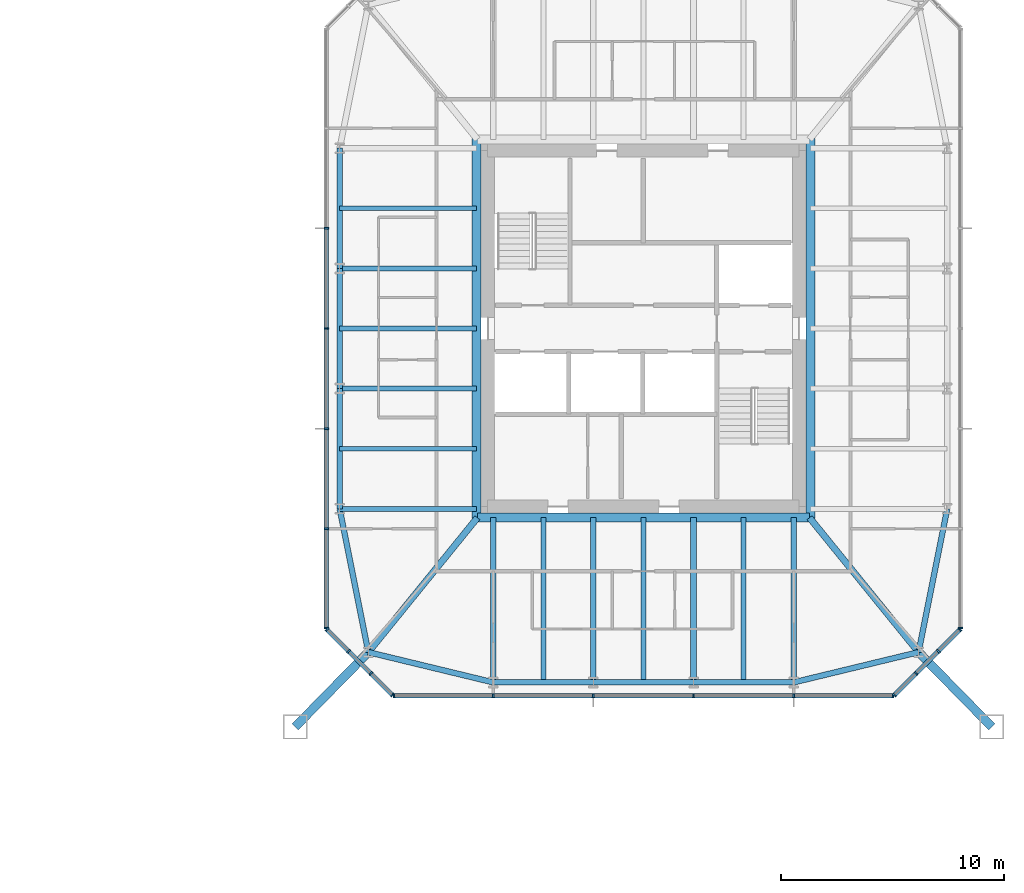
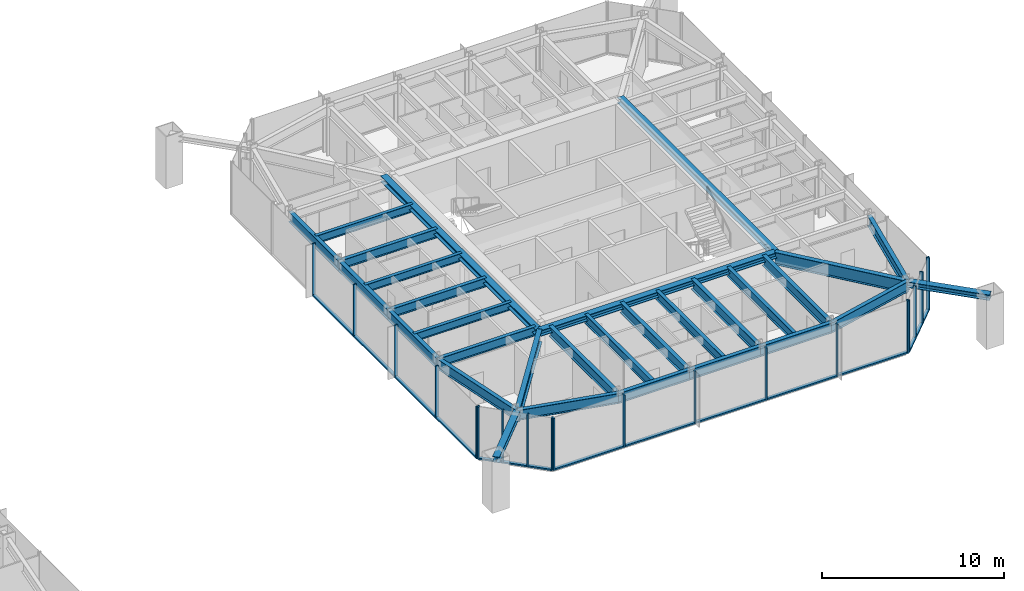
# One storey, part 8 of 25: 37 members, 28 beams, 5 elements without a shape of their own.
"""IFC4 building model written with IfcOpenShell, lengths in metres."""

from ifc_helpers import new_model, si_unit, direction, frame, origin, origin_2d, place, context, subcontext, project, spatial, rectangle, i_section, extrude, material, material_profile, profile_set, type_object, element, aggregate, save


model = new_model("IFC4")

# Units and contexts
model_context = context("Model", 3, precision=1e-05, world=origin(), true_north=direction((0.0, 1.0)))
body_context = subcontext(model_context, "Body", "Model", "MODEL_VIEW")
ifc_project = project(units=[si_unit("LENGTHUNIT", "METRE"), si_unit("AREAUNIT", "SQUARE_METRE"), si_unit("VOLUMEUNIT", "CUBIC_METRE"), si_unit("PLANEANGLEUNIT", "RADIAN"), si_unit("MASSUNIT", "GRAM", prefix="KILO")], contexts=[model_context])

# Site, building, storey
site_placement = place(None, origin())
site = spatial("IfcSite", under=ifc_project, at=site_placement, CompositionType="ELEMENT")
building_placement = place(site_placement, origin())
building = spatial("IfcBuilding", under=site, at=building_placement, Name="Iwan Alto Co-Living Towers", CompositionType="ELEMENT")
storey_placement = place(building_placement, frame((0.0, 0.0, 119.0)))
storey = spatial("IfcBuildingStorey", under=building, at=storey_placement, Name="L32", CompositionType="ELEMENT", Elevation=119.0)

# Curtain wall, members
ifc_material_1 = material(Name="Bronze aluminium unitised frame", Category="aluminium")
curtain_wall_type_1 = type_object("IfcCurtainWallType", Name="CURTAIN WALL CW-C", PredefinedType="NOTDEFINED", material=ifc_material_1)
curtain_wall_1_placement = place(storey_placement, origin())
curtain_wall_1 = element("IfcCurtainWall", 1, at=curtain_wall_1_placement, inside=storey, type_object=curtain_wall_type_1, Name="T2 curtain wall S L32", PredefinedType="NOTDEFINED")
ifc_material_2 = material(Name="Aluminium 6063-T6 bronze anodised", Category="aluminium")
ifc_material_profile_1 = material_profile(ifc_material_2, rectangle(XDim=0.199951171875, YDim=0.080078125, at=origin_2d()), Name="AL 80X200")
ifc_profile_set_1 = profile_set([ifc_material_profile_1], Name="Aluminium 6063-T6 bronze anodised")
member_type_1 = type_object("IfcMemberType", Name="CW-C MULLION 80X200", PredefinedType="MULLION", material=ifc_profile_set_1)
member_1_placement = place(storey_placement, frame((51.7900390625, -16.5, 0.0), z_axis=(0.0, 0.0, 1.0), x_axis=(0.0, 1.0, 0.0)))
member_1 = element("IfcMember", 2, at=member_1_placement, type_object=member_type_1, Name="CW-C mullion 1", PredefinedType="MULLION", context=body_context, shape_type="SweptSolid", body=[
    extrude(rectangle(XDim=0.199951171875, YDim=0.080078125, at=origin_2d()), origin(), (0.0, 0.0, 1.0), 3.5),
])
member_2_placement = place(storey_placement, frame((56.25, -16.5, 0.0), z_axis=(0.0, 0.0, 1.0), x_axis=(0.0, 1.0, 0.0)))
member_2 = element("IfcMember", 3, at=member_2_placement, type_object=member_type_1, Name="CW-C mullion 2", PredefinedType="MULLION", context=body_context, shape_type="SweptSolid", body=[
    extrude(rectangle(XDim=0.199951171875, YDim=0.080078125, at=origin_2d()), origin(), (0.0, 0.0, 1.0), 3.5),
])
member_3_placement = place(storey_placement, frame((60.75, -16.5, 0.0), z_axis=(0.0, 0.0, 1.0), x_axis=(0.0, 1.0, 0.0)))
member_3 = element("IfcMember", 4, at=member_3_placement, type_object=member_type_1, Name="CW-C mullion 3", PredefinedType="MULLION", context=body_context, shape_type="SweptSolid", body=[
    extrude(rectangle(XDim=0.199951171875, YDim=0.080078125, at=origin_2d()), origin(), (0.0, 0.0, 1.0), 3.5),
])
member_4_placement = place(storey_placement, frame((65.25, -16.5, 0.0), z_axis=(0.0, 0.0, 1.0), x_axis=(0.0, 1.0, 0.0)))
member_4 = element("IfcMember", 5, at=member_4_placement, type_object=member_type_1, Name="CW-C mullion 4", PredefinedType="MULLION", context=body_context, shape_type="SweptSolid", body=[
    extrude(rectangle(XDim=0.199951171875, YDim=0.080078125, at=origin_2d()), origin(), (0.0, 0.0, 1.0), 3.5),
])
member_5_placement = place(storey_placement, frame((69.75, -16.5, 0.0), z_axis=(0.0, 0.0, 1.0), x_axis=(0.0, 1.0, 0.0)))
member_5 = element("IfcMember", 6, at=member_5_placement, type_object=member_type_1, Name="CW-C mullion 5", PredefinedType="MULLION", context=body_context, shape_type="SweptSolid", body=[
    extrude(rectangle(XDim=0.199951171875, YDim=0.080078125, at=origin_2d()), origin(), (0.0, 0.0, 1.0), 3.5),
])
member_6_placement = place(storey_placement, frame((74.2099609375, -16.5, 0.0), z_axis=(0.0, 0.0, 1.0), x_axis=(0.0, 1.0, 0.0)))
member_6 = element("IfcMember", 7, at=member_6_placement, type_object=member_type_1, Name="CW-C mullion 6", PredefinedType="MULLION", context=body_context, shape_type="SweptSolid", body=[
    extrude(rectangle(XDim=0.199951171875, YDim=0.080078125, at=origin_2d()), origin(), (0.0, 0.0, 1.0), 3.5),
])

# Curtain wall, member
curtain_wall_2_placement = place(storey_placement, origin())
curtain_wall_2 = element("IfcCurtainWall", 8, at=curtain_wall_2_placement, inside=storey, type_object=curtain_wall_type_1, Name="T2 curtain wall E L32", PredefinedType="NOTDEFINED")
member_7_placement = place(storey_placement, frame((77.25, -13.4599609375, 0.0), z_axis=(0.0, 0.0, 1.0), x_axis=(-1.0, 0.0, 0.0)))
member_7 = element("IfcMember", 9, at=member_7_placement, type_object=member_type_1, Name="CW-C mullion 1", PredefinedType="MULLION", context=body_context, shape_type="SweptSolid", body=[
    extrude(rectangle(XDim=0.199951171875, YDim=0.080078125, at=origin_2d()), origin(), (0.0, 0.0, 1.0), 3.5),
])
aggregate(curtain_wall_2, [member_7])

# Curtain wall, members
curtain_wall_3_placement = place(storey_placement, origin())
curtain_wall_3 = element("IfcCurtainWall", 10, at=curtain_wall_3_placement, inside=storey, type_object=curtain_wall_type_1, Name="T2 curtain wall W L32", PredefinedType="NOTDEFINED")
member_8_placement = place(storey_placement, frame((48.75, 4.5, 0.0), z_axis=(0.0, 0.0, 1.0), x_axis=(1.0, 0.0, 0.0)))
member_8 = element("IfcMember", 11, at=member_8_placement, type_object=member_type_1, Name="CW-C mullion 3", PredefinedType="MULLION", context=body_context, shape_type="SweptSolid", body=[
    extrude(rectangle(XDim=0.199951171875, YDim=0.080078125, at=origin_2d()), origin(), (0.0, 0.0, 1.0), 3.5),
])
member_9_placement = place(storey_placement, frame((48.75, 0.0, 0.0), z_axis=(0.0, 0.0, 1.0), x_axis=(1.0, 0.0, 0.0)))
member_9 = element("IfcMember", 12, at=member_9_placement, type_object=member_type_1, Name="CW-C mullion 4", PredefinedType="MULLION", context=body_context, shape_type="SweptSolid", body=[
    extrude(rectangle(XDim=0.199951171875, YDim=0.080078125, at=origin_2d()), origin(), (0.0, 0.0, 1.0), 3.5),
])
member_10_placement = place(storey_placement, frame((48.75, -4.5, 0.0), z_axis=(0.0, 0.0, 1.0), x_axis=(1.0, 0.0, 0.0)))
member_10 = element("IfcMember", 13, at=member_10_placement, type_object=member_type_1, Name="CW-C mullion 5", PredefinedType="MULLION", context=body_context, shape_type="SweptSolid", body=[
    extrude(rectangle(XDim=0.199951171875, YDim=0.080078125, at=origin_2d()), origin(), (0.0, 0.0, 1.0), 3.5),
])
member_11_placement = place(storey_placement, frame((48.75, -9.0, 0.0), z_axis=(0.0, 0.0, 1.0), x_axis=(1.0, 0.0, 0.0)))
member_11 = element("IfcMember", 14, at=member_11_placement, type_object=member_type_1, Name="CW-C mullion 6", PredefinedType="MULLION", context=body_context, shape_type="SweptSolid", body=[
    extrude(rectangle(XDim=0.199951171875, YDim=0.080078125, at=origin_2d()), origin(), (0.0, 0.0, 1.0), 3.5),
])
member_12_placement = place(storey_placement, frame((48.75, -13.4599609375, 0.0), z_axis=(0.0, 0.0, 1.0), x_axis=(1.0, 0.0, 0.0)))
member_12 = element("IfcMember", 15, at=member_12_placement, type_object=member_type_1, Name="CW-C mullion 7", PredefinedType="MULLION", context=body_context, shape_type="SweptSolid", body=[
    extrude(rectangle(XDim=0.199951171875, YDim=0.080078125, at=origin_2d()), origin(), (0.0, 0.0, 1.0), 3.5),
])

# Member
ifc_material_3 = material(Name="Aluminium 6063-T6 bronze anodised", Category="aluminium")
ifc_material_profile_2 = material_profile(ifc_material_3, rectangle(XDim=0.199951171875, YDim=0.10009765625, at=origin_2d()), Name="AL 200X100")
ifc_profile_set_2 = profile_set([ifc_material_profile_2], Name="Aluminium 6063-T6 bronze anodised")
member_type_2 = type_object("IfcMemberType", Name="CW-C TRANSOM 200X100", PredefinedType="USERDEFINED", material=ifc_profile_set_2)
member_13_placement = place(storey_placement, frame((51.830078125, -16.5, 0.050048828125), z_axis=(1.0, 0.0, 0.0), x_axis=(0.0, 1.0, 0.0)))
member_13 = element("IfcMember", 16, at=member_13_placement, type_object=member_type_2, Name="CW-C transom 1.1", ObjectType="TRANSOM", PredefinedType="USERDEFINED", context=body_context, shape_type="SweptSolid", body=[
    extrude(rectangle(XDim=0.199951171875, YDim=0.10009765625, at=origin_2d()), origin(), (0.0, 0.0, 1.0), 4.3798828125),
])

member_14_placement = place(storey_placement, frame((56.2900390625, -16.5, 0.050048828125), z_axis=(1.0, 0.0, 0.0), x_axis=(0.0, 1.0, 0.0)))
member_14 = element("IfcMember", 17, at=member_14_placement, type_object=member_type_2, Name="CW-C transom 2.1", ObjectType="TRANSOM", PredefinedType="USERDEFINED", context=body_context, shape_type="SweptSolid", body=[
    extrude(rectangle(XDim=0.199951171875, YDim=0.10009765625, at=origin_2d()), origin(), (0.0, 0.0, 1.0), 4.419921875),
])

member_15_placement = place(storey_placement, frame((60.7900390625, -16.5, 0.050048828125), z_axis=(1.0, 0.0, 0.0), x_axis=(0.0, 1.0, 0.0)))
member_15 = element("IfcMember", 18, at=member_15_placement, type_object=member_type_2, Name="CW-C transom 3.1", ObjectType="TRANSOM", PredefinedType="USERDEFINED", context=body_context, shape_type="SweptSolid", body=[
    extrude(rectangle(XDim=0.199951171875, YDim=0.10009765625, at=origin_2d()), origin(), (0.0, 0.0, 1.0), 4.419921875),
])

member_16_placement = place(storey_placement, frame((65.2900390625, -16.5, 0.050048828125), z_axis=(1.0, 0.0, 0.0), x_axis=(0.0, 1.0, 0.0)))
member_16 = element("IfcMember", 19, at=member_16_placement, type_object=member_type_2, Name="CW-C transom 4.1", ObjectType="TRANSOM", PredefinedType="USERDEFINED", context=body_context, shape_type="SweptSolid", body=[
    extrude(rectangle(XDim=0.199951171875, YDim=0.10009765625, at=origin_2d()), origin(), (0.0, 0.0, 1.0), 4.419921875),
])

member_17_placement = place(storey_placement, frame((69.7900390625, -16.5, 0.050048828125), z_axis=(1.0, 0.0, 0.0), x_axis=(0.0, 1.0, 0.0)))
member_17 = element("IfcMember", 20, at=member_17_placement, type_object=member_type_2, Name="CW-C transom 5.1", ObjectType="TRANSOM", PredefinedType="USERDEFINED", context=body_context, shape_type="SweptSolid", body=[
    extrude(rectangle(XDim=0.199951171875, YDim=0.10009765625, at=origin_2d()), origin(), (0.0, 0.0, 1.0), 4.3798828125),
])

aggregate(curtain_wall_1, [member_1, member_2, member_3, member_4, member_5, member_6, member_13, member_14, member_15, member_16, member_17])

member_18_placement = place(storey_placement, frame((48.75, 4.4599609375, 0.050048828125), z_axis=(0.0, -1.0, 0.0), x_axis=(1.0, 0.0, 0.0)))
member_18 = element("IfcMember", 21, at=member_18_placement, type_object=member_type_2, Name="CW-C transom 3.1", ObjectType="TRANSOM", PredefinedType="USERDEFINED", context=body_context, shape_type="SweptSolid", body=[
    extrude(rectangle(XDim=0.199951171875, YDim=0.10009765625, at=origin_2d()), origin(), (0.0, 0.0, 1.0), 4.419921875),
])

member_19_placement = place(storey_placement, frame((48.75, -0.0400390625, 0.050048828125), z_axis=(0.0, -1.0, 0.0), x_axis=(1.0, 0.0, 0.0)))
member_19 = element("IfcMember", 22, at=member_19_placement, type_object=member_type_2, Name="CW-C transom 4.1", ObjectType="TRANSOM", PredefinedType="USERDEFINED", context=body_context, shape_type="SweptSolid", body=[
    extrude(rectangle(XDim=0.199951171875, YDim=0.10009765625, at=origin_2d()), origin(), (0.0, 0.0, 1.0), 4.419921875),
])

member_20_placement = place(storey_placement, frame((48.75, -4.5400390625, 0.050048828125), z_axis=(0.0, -1.0, 0.0), x_axis=(1.0, 0.0, 0.0)))
member_20 = element("IfcMember", 23, at=member_20_placement, type_object=member_type_2, Name="CW-C transom 5.1", ObjectType="TRANSOM", PredefinedType="USERDEFINED", context=body_context, shape_type="SweptSolid", body=[
    extrude(rectangle(XDim=0.199951171875, YDim=0.10009765625, at=origin_2d()), origin(), (0.0, 0.0, 1.0), 4.419921875),
])

member_21_placement = place(storey_placement, frame((48.75, -9.0400390625, 0.050048828125), z_axis=(0.0, -1.0, 0.0), x_axis=(1.0, 0.0, 0.0)))
member_21 = element("IfcMember", 24, at=member_21_placement, type_object=member_type_2, Name="CW-C transom 6.1", ObjectType="TRANSOM", PredefinedType="USERDEFINED", context=body_context, shape_type="SweptSolid", body=[
    extrude(rectangle(XDim=0.199951171875, YDim=0.10009765625, at=origin_2d()), origin(), (0.0, 0.0, 1.0), 4.3798828125),
])

aggregate(curtain_wall_3, [member_8, member_9, member_10, member_11, member_12, member_18, member_19, member_20, member_21])

# Curtain wall, members
ifc_material_4 = material(Name="Bronze aluminium unitised frame", Category="aluminium")
curtain_wall_type_2 = type_object("IfcCurtainWallType", Name="CURTAIN WALL CW-D", PredefinedType="NOTDEFINED", material=ifc_material_4)
curtain_wall_4_placement = place(storey_placement, origin())
curtain_wall_4 = element("IfcCurtainWall", 25, at=curtain_wall_4_placement, inside=storey, type_object=curtain_wall_type_2, Name="T2 chamfer curtain wall SE L32", PredefinedType="NOTDEFINED")
ifc_material_5 = material(Name="Aluminium 6063-T6 bronze anodised", Category="aluminium")
ifc_material_profile_3 = material_profile(ifc_material_5, rectangle(XDim=0.199951171875, YDim=0.080078125, at=origin_2d()), Name="AL 80X200")
ifc_profile_set_3 = profile_set([ifc_material_profile_3], Name="Aluminium 6063-T6 bronze anodised")
member_type_3 = type_object("IfcMemberType", Name="CW-D MULLION 80X200", PredefinedType="MULLION", material=ifc_profile_set_3)
member_22_placement = place(storey_placement, frame((74.2783203125, -16.4716796875, 0.0), z_axis=(0.0, 0.0, 1.0), x_axis=(-0.707106781187, 0.707106781187, 0.0)))
member_22 = element("IfcMember", 26, at=member_22_placement, type_object=member_type_3, Name="CW-D mullion 1", PredefinedType="MULLION", context=body_context, shape_type="SweptSolid", body=[
    extrude(rectangle(XDim=0.199951171875, YDim=0.080078125, at=origin_2d()), origin(), (0.0, 0.0, 1.0), 3.5),
])
member_23_placement = place(storey_placement, frame((75.25, -15.5, 0.0), z_axis=(0.0, 0.0, 1.0), x_axis=(-0.707106781187, 0.707106781187, 0.0)))
member_23 = element("IfcMember", 27, at=member_23_placement, type_object=member_type_3, Name="CW-D mullion 2", PredefinedType="MULLION", context=body_context, shape_type="SweptSolid", body=[
    extrude(rectangle(XDim=0.199951171875, YDim=0.080078125, at=origin_2d()), origin(), (0.0, 0.0, 1.0), 3.5),
])
member_24_placement = place(storey_placement, frame((76.25, -14.5, 0.0), z_axis=(0.0, 0.0, 1.0), x_axis=(-0.707106781187, 0.707106781187, 0.0)))
member_24 = element("IfcMember", 28, at=member_24_placement, type_object=member_type_3, Name="CW-D mullion 3", PredefinedType="MULLION", context=body_context, shape_type="SweptSolid", body=[
    extrude(rectangle(XDim=0.199951171875, YDim=0.080078125, at=origin_2d()), origin(), (0.0, 0.0, 1.0), 3.5),
])
member_25_placement = place(storey_placement, frame((77.2216796875, -13.5283203125, 0.0), z_axis=(0.0, 0.0, 1.0), x_axis=(-0.707106781187, 0.707106781187, 0.0)))
member_25 = element("IfcMember", 29, at=member_25_placement, type_object=member_type_3, Name="CW-D mullion 4", PredefinedType="MULLION", context=body_context, shape_type="SweptSolid", body=[
    extrude(rectangle(XDim=0.199951171875, YDim=0.080078125, at=origin_2d()), origin(), (0.0, 0.0, 1.0), 3.5),
])

curtain_wall_5_placement = place(storey_placement, origin())
curtain_wall_5 = element("IfcCurtainWall", 30, at=curtain_wall_5_placement, inside=storey, type_object=curtain_wall_type_2, Name="T2 chamfer curtain wall SW L32", PredefinedType="NOTDEFINED")
member_26_placement = place(storey_placement, frame((48.7783203125, -13.5283203125, 0.0), z_axis=(0.0, 0.0, 1.0), x_axis=(0.707106781187, 0.707106781187, 0.0)))
member_26 = element("IfcMember", 31, at=member_26_placement, type_object=member_type_3, Name="CW-D mullion 1", PredefinedType="MULLION", context=body_context, shape_type="SweptSolid", body=[
    extrude(rectangle(XDim=0.199951171875, YDim=0.080078125, at=origin_2d()), origin(), (0.0, 0.0, 1.0), 3.5),
])
member_27_placement = place(storey_placement, frame((49.75, -14.5, 0.0), z_axis=(0.0, 0.0, 1.0), x_axis=(0.707106781187, 0.707106781187, 0.0)))
member_27 = element("IfcMember", 32, at=member_27_placement, type_object=member_type_3, Name="CW-D mullion 2", PredefinedType="MULLION", context=body_context, shape_type="SweptSolid", body=[
    extrude(rectangle(XDim=0.199951171875, YDim=0.080078125, at=origin_2d()), origin(), (0.0, 0.0, 1.0), 3.5),
])
member_28_placement = place(storey_placement, frame((50.75, -15.5, 0.0), z_axis=(0.0, 0.0, 1.0), x_axis=(0.707106781187, 0.707106781187, 0.0)))
member_28 = element("IfcMember", 33, at=member_28_placement, type_object=member_type_3, Name="CW-D mullion 3", PredefinedType="MULLION", context=body_context, shape_type="SweptSolid", body=[
    extrude(rectangle(XDim=0.199951171875, YDim=0.080078125, at=origin_2d()), origin(), (0.0, 0.0, 1.0), 3.5),
])
member_29_placement = place(storey_placement, frame((51.7216796875, -16.4716796875, 0.0), z_axis=(0.0, 0.0, 1.0), x_axis=(0.707106781187, 0.707106781187, 0.0)))
member_29 = element("IfcMember", 34, at=member_29_placement, type_object=member_type_3, Name="CW-D mullion 4", PredefinedType="MULLION", context=body_context, shape_type="SweptSolid", body=[
    extrude(rectangle(XDim=0.199951171875, YDim=0.080078125, at=origin_2d()), origin(), (0.0, 0.0, 1.0), 3.5),
])

# Member
ifc_material_6 = material(Name="Aluminium 6063-T6 bronze anodised", Category="aluminium")
ifc_material_profile_4 = material_profile(ifc_material_6, rectangle(XDim=0.199951171875, YDim=0.10009765625, at=origin_2d()), Name="AL 200X100")
ifc_profile_set_4 = profile_set([ifc_material_profile_4], Name="Aluminium 6063-T6 bronze anodised")
member_type_4 = type_object("IfcMemberType", Name="CW-D TRANSOM 200X100", PredefinedType="USERDEFINED", material=ifc_profile_set_4)
member_30_placement = place(storey_placement, frame((74.306640625, -16.443359375, 0.050048828125), z_axis=(0.707106781187, 0.707106781187, 0.0), x_axis=(-0.707106781187, 0.707106781187, 0.0)))
member_30 = element("IfcMember", 35, at=member_30_placement, type_object=member_type_4, Name="CW-D transom 1.1", ObjectType="TRANSOM", PredefinedType="USERDEFINED", context=body_context, shape_type="SweptSolid", body=[
    extrude(rectangle(XDim=0.199951171875, YDim=0.10009765625, at=origin_2d()), origin(), (0.0, 0.0, 1.0), 1.2939453125),
])

member_31_placement = place(storey_placement, frame((75.2783203125, -15.4716796875, 0.050048828125), z_axis=(0.707106781187, 0.707106781187, 0.0), x_axis=(-0.707106781187, 0.707106781187, 0.0)))
member_31 = element("IfcMember", 36, at=member_31_placement, type_object=member_type_4, Name="CW-D transom 2.1", ObjectType="TRANSOM", PredefinedType="USERDEFINED", context=body_context, shape_type="SweptSolid", body=[
    extrude(rectangle(XDim=0.199951171875, YDim=0.10009765625, at=origin_2d()), origin(), (0.0, 0.0, 1.0), 1.334228515625),
])

member_32_placement = place(storey_placement, frame((76.2783203125, -14.4716796875, 0.050048828125), z_axis=(0.707106781187, 0.707106781187, 0.0), x_axis=(-0.707106781187, 0.707106781187, 0.0)))
member_32 = element("IfcMember", 37, at=member_32_placement, type_object=member_type_4, Name="CW-D transom 3.1", ObjectType="TRANSOM", PredefinedType="USERDEFINED", context=body_context, shape_type="SweptSolid", body=[
    extrude(rectangle(XDim=0.199951171875, YDim=0.10009765625, at=origin_2d()), origin(), (0.0, 0.0, 1.0), 1.2939453125),
])

aggregate(curtain_wall_4, [member_22, member_23, member_24, member_25, member_30, member_31, member_32])

member_33_placement = place(storey_placement, frame((48.806640625, -13.556640625, 0.050048828125), z_axis=(0.707106781187, -0.707106781187, 0.0), x_axis=(0.707106781187, 0.707106781187, 0.0)))
member_33 = element("IfcMember", 38, at=member_33_placement, type_object=member_type_4, Name="CW-D transom 1.1", ObjectType="TRANSOM", PredefinedType="USERDEFINED", context=body_context, shape_type="SweptSolid", body=[
    extrude(rectangle(XDim=0.199951171875, YDim=0.10009765625, at=origin_2d()), origin(), (0.0, 0.0, 1.0), 1.2939453125),
])

member_34_placement = place(storey_placement, frame((49.7783203125, -14.5283203125, 0.050048828125), z_axis=(0.707106781187, -0.707106781187, 0.0), x_axis=(0.707106781187, 0.707106781187, 0.0)))
member_34 = element("IfcMember", 39, at=member_34_placement, type_object=member_type_4, Name="CW-D transom 2.1", ObjectType="TRANSOM", PredefinedType="USERDEFINED", context=body_context, shape_type="SweptSolid", body=[
    extrude(rectangle(XDim=0.199951171875, YDim=0.10009765625, at=origin_2d()), origin(), (0.0, 0.0, 1.0), 1.334228515625),
])

member_35_placement = place(storey_placement, frame((50.7783203125, -15.5283203125, 0.050048828125), z_axis=(0.707106781187, -0.707106781187, 0.0), x_axis=(0.707106781187, 0.707106781187, 0.0)))
member_35 = element("IfcMember", 40, at=member_35_placement, type_object=member_type_4, Name="CW-D transom 3.1", ObjectType="TRANSOM", PredefinedType="USERDEFINED", context=body_context, shape_type="SweptSolid", body=[
    extrude(rectangle(XDim=0.199951171875, YDim=0.10009765625, at=origin_2d()), origin(), (0.0, 0.0, 1.0), 1.2939453125),
])

aggregate(curtain_wall_5, [member_26, member_27, member_28, member_29, member_33, member_34, member_35])

# Beams
ifc_material_7 = material(Name="Steel ASTM A992 Gr 50", Category="steel")
ifc_material_profile_5 = material_profile(ifc_material_7, i_section(OverallWidth=0.398681640625, OverallDepth=0.385986328125, WebThickness=0.02099609375, FlangeThickness=0.033203125, at=origin_2d()), Name="W14X176")
ifc_profile_set_5 = profile_set([ifc_material_profile_5], Name="Steel ASTM A992 Gr 50")
beam_type_1 = type_object("IfcBeamType", Name="T2 CORE LEDGER BEAM W14X176", PredefinedType="BEAM", material=ifc_profile_set_5)
beam_1_placement = place(storey_placement, frame((55.538330078125, -8.49951171875, 3.076904296875), z_axis=(1.0, 0.0, 0.0), x_axis=(0.0, 1.0, 0.0)))
element("IfcBeam", 41, at=beam_1_placement, inside=storey, type_object=beam_type_1, Name="T2 core ledger beam S L33", PredefinedType="BEAM", context=body_context, shape_type="SweptSolid", body=[
    extrude(i_section(OverallWidth=0.398681640625, OverallDepth=0.385986328125, WebThickness=0.02099609375, FlangeThickness=0.033203125, at=origin_2d()), origin(), (0.0, 0.0, 1.0), 14.92333984375),
])
for number, where, z_axis, x_axis, name in (
    (42, (70.49951171875, -8.5458984375, 3.076904296875), (0.0, 1.0, 0.0), (-1.0, 0.0, 0.0), "T2 core ledger beam E L33"),
    (43, (55.50048828125, 8.5458984375, 3.076904296875), (0.0, -1.0, 0.0), (1.0, 0.0, 0.0), "T2 core ledger beam W L33"),
):
    element("IfcBeam", number, at=place(storey_placement, frame(where, z_axis=z_axis, x_axis=x_axis)), inside=storey, type_object=beam_type_1, Name=name, PredefinedType="BEAM", context=body_context, shape_type="SweptSolid", body=[
        extrude(i_section(OverallWidth=0.398681640625, OverallDepth=0.385986328125, WebThickness=0.02099609375, FlangeThickness=0.033203125, at=origin_2d()), origin(), (0.0, 0.0, 1.0), 17.091796875),
    ])
ifc_material_8 = material(Name="Steel ASTM A992 Gr 50", Category="steel")
ifc_material_profile_6 = material_profile(ifc_material_8, i_section(OverallWidth=0.2919921875, OverallDepth=0.8408203125, WebThickness=0.0146484375, FlangeThickness=0.021728515625, at=origin_2d()), Name="W33X130")
ifc_profile_set_6 = profile_set([ifc_material_profile_6], Name="Steel ASTM A992 Gr 50")
beam_type_2 = type_object("IfcBeamType", Name="T2 CORNER GIRDER W33X130", PredefinedType="BEAM", material=ifc_profile_set_6)
for number, where, z_axis, x_axis, name in (
    (44, (50.638671875, -14.542724609375, 2.849609375), (0.629783024592, 0.776771100091, 0.0), (-0.776771100091, 0.629783024592, 0.0), "T2 corner girder CSW L33"),
    (45, (75.361328125, -14.542724609375, 2.849609375), (-0.629783024592, 0.776771100091, 0.0), (-0.776771100091, -0.629783024592, 0.0), "T2 corner girder CSE L33"),
):
    element("IfcBeam", number, at=place(storey_placement, frame(where, z_axis=z_axis, x_axis=x_axis)), inside=storey, type_object=beam_type_2, Name=name, PredefinedType="BEAM", context=body_context, shape_type="SweptSolid", body=[
        extrude(i_section(OverallWidth=0.2919921875, OverallDepth=0.8408203125, WebThickness=0.0146484375, FlangeThickness=0.021728515625, at=origin_2d()), origin(), (0.0, 0.0, 1.0), 7.780029296875),
    ])
ifc_material_9 = material(Name="Steel ASTM A992 Gr 50", Category="steel")
ifc_material_profile_7 = material_profile(ifc_material_9, i_section(OverallWidth=0.25390625, OverallDepth=0.683349609375, WebThickness=0.012451171875, FlangeThickness=0.018798828125, at=origin_2d()), Name="W27X94")
ifc_profile_set_7 = profile_set([ifc_material_profile_7], Name="Steel ASTM A992 Gr 50")
beam_type_3 = type_object("IfcBeamType", Name="T2 EDGE BEAM W27X94", PredefinedType="BEAM", material=ifc_profile_set_7)
beam_2_placement = place(storey_placement, frame((50.638671875, -14.542724609375, 2.928466796875), z_axis=(0.971974673138, -0.235085590323, 0.0), x_axis=(0.235085590323, 0.971974673138, 0.0)))
element("IfcBeam", 46, at=beam_2_placement, inside=storey, type_object=beam_type_3, Name="T2 edge beam CSW L33", PredefinedType="BEAM", context=body_context, shape_type="SweptSolid", body=[
    extrude(i_section(OverallWidth=0.25390625, OverallDepth=0.683349609375, WebThickness=0.012451171875, FlangeThickness=0.018798828125, at=origin_2d()), origin(), (0.0, 0.0, 1.0), 5.773193359375),
])
for number, where, z_axis, x_axis, name in (
    (47, (56.25, -15.89990234375, 2.928466796875), (1.0, 0.0, 0.0), (0.0, 1.0, 0.0), "T2 edge beam S1 L33"),
    (48, (60.75, -15.89990234375, 2.928466796875), (1.0, 0.0, 0.0), (0.0, 1.0, 0.0), "T2 edge beam S2 L33"),
    (49, (65.25, -15.89990234375, 2.928466796875), (1.0, 0.0, 0.0), (0.0, 1.0, 0.0), "T2 edge beam S3 L33"),
):
    element("IfcBeam", number, at=place(storey_placement, frame(where, z_axis=z_axis, x_axis=x_axis)), inside=storey, type_object=beam_type_3, Name=name, PredefinedType="BEAM", context=body_context, shape_type="SweptSolid", body=[
        extrude(i_section(OverallWidth=0.25390625, OverallDepth=0.683349609375, WebThickness=0.012451171875, FlangeThickness=0.018798828125, at=origin_2d()), origin(), (0.0, 0.0, 1.0), 4.5),
    ])
beam_3_placement = place(storey_placement, frame((69.75, -15.89990234375, 2.928466796875), z_axis=(0.971974673138, 0.235085590323, 0.0), x_axis=(-0.235085590323, 0.971974673138, 0.0)))
element("IfcBeam", 50, at=beam_3_placement, inside=storey, type_object=beam_type_3, Name="T2 edge beam S4 L33", PredefinedType="BEAM", context=body_context, shape_type="SweptSolid", body=[
    extrude(i_section(OverallWidth=0.25390625, OverallDepth=0.683349609375, WebThickness=0.012451171875, FlangeThickness=0.018798828125, at=origin_2d()), origin(), (0.0, 0.0, 1.0), 5.773193359375),
])
beam_4_placement = place(storey_placement, frame((75.361328125, -14.542724609375, 2.928466796875), z_axis=(0.196123281025, 0.980579246487, 0.0), x_axis=(-0.980579246487, 0.196123281025, 0.0)))
element("IfcBeam", 51, at=beam_4_placement, inside=storey, type_object=beam_type_3, Name="T2 edge beam CSE L33", PredefinedType="BEAM", context=body_context, shape_type="SweptSolid", body=[
    extrude(i_section(OverallWidth=0.25390625, OverallDepth=0.683349609375, WebThickness=0.012451171875, FlangeThickness=0.018798828125, at=origin_2d()), origin(), (0.0, 0.0, 1.0), 6.5703125),
])
beam_5_placement = place(storey_placement, frame((49.35009765625, 8.10009765625, 2.928466796875), z_axis=(0.0, -1.0, 0.0), x_axis=(1.0, 0.0, 0.0)))
element("IfcBeam", 52, at=beam_5_placement, inside=storey, type_object=beam_type_3, Name="T2 edge beam W1 L33", PredefinedType="BEAM", context=body_context, shape_type="SweptSolid", body=[
    extrude(i_section(OverallWidth=0.25390625, OverallDepth=0.683349609375, WebThickness=0.012451171875, FlangeThickness=0.018798828125, at=origin_2d()), origin(), (0.0, 0.0, 1.0), 5.400146484375),
])
beam_6_placement = place(storey_placement, frame((49.35009765625, 2.699951171875, 2.928466796875), z_axis=(0.0, -1.0, 0.0), x_axis=(1.0, 0.0, 0.0)))
element("IfcBeam", 53, at=beam_6_placement, inside=storey, type_object=beam_type_3, Name="T2 edge beam W2 L33", PredefinedType="BEAM", context=body_context, shape_type="SweptSolid", body=[
    extrude(i_section(OverallWidth=0.25390625, OverallDepth=0.683349609375, WebThickness=0.012451171875, FlangeThickness=0.018798828125, at=origin_2d()), origin(), (0.0, 0.0, 1.0), 5.39990234375),
])
beam_7_placement = place(storey_placement, frame((49.35009765625, -2.699951171875, 2.928466796875), z_axis=(0.0, -1.0, 0.0), x_axis=(1.0, 0.0, 0.0)))
element("IfcBeam", 54, at=beam_7_placement, inside=storey, type_object=beam_type_3, Name="T2 edge beam W3 L33", PredefinedType="BEAM", context=body_context, shape_type="SweptSolid", body=[
    extrude(i_section(OverallWidth=0.25390625, OverallDepth=0.683349609375, WebThickness=0.012451171875, FlangeThickness=0.018798828125, at=origin_2d()), origin(), (0.0, 0.0, 1.0), 5.400146484375),
])
beam_8_placement = place(storey_placement, frame((49.35009765625, -8.10009765625, 2.928466796875), z_axis=(0.196123281025, -0.980579246487, 0.0), x_axis=(0.980579246487, 0.196123281025, 0.0)))
element("IfcBeam", 55, at=beam_8_placement, inside=storey, type_object=beam_type_3, Name="T2 edge beam W4 L33", PredefinedType="BEAM", context=body_context, shape_type="SweptSolid", body=[
    extrude(i_section(OverallWidth=0.25390625, OverallDepth=0.683349609375, WebThickness=0.012451171875, FlangeThickness=0.018798828125, at=origin_2d()), origin(), (0.0, 0.0, 1.0), 6.5703125),
])

# Members
ifc_material_10 = material(Name="Steel ASTM A992 Gr 50", Category="steel")
ifc_material_profile_8 = material_profile(ifc_material_10, i_section(OverallWidth=0.393798828125, OverallDepth=0.3759765625, WebThickness=0.017333984375, FlangeThickness=0.027587890625, at=origin_2d()), Name="W14X145")
ifc_profile_set_8 = profile_set([ifc_material_profile_8], Name="Steel ASTM A992 Gr 50")
member_type_5 = type_object("IfcMemberType", Name="T2 MEGA COLUMN FLOOR TIE W14X145", PredefinedType="STRUT", material=ifc_profile_set_8)
for number, where, z_axis, x_axis, name in (
    (56, (47.35009765625, -17.89990234375, 3.08203125), (0.699770096147, 0.714368121166, 0.0), (-0.714368121166, 0.699770096147, 0.0), "T2 mega column floor tie SW L33"),
    (57, (78.64990234375, -17.89990234375, 3.08203125), (-0.699770096147, 0.714368121166, 0.0), (-0.714368121166, -0.699770096147, 0.0), "T2 mega column floor tie SE L33"),
):
    element("IfcMember", number, at=place(storey_placement, frame(where, z_axis=z_axis, x_axis=x_axis)), inside=storey, type_object=member_type_5, Name=name, PredefinedType="STRUT", context=body_context, shape_type="SweptSolid", body=[
        extrude(i_section(OverallWidth=0.393798828125, OverallDepth=0.3759765625, WebThickness=0.017333984375, FlangeThickness=0.027587890625, at=origin_2d()), origin(), (0.0, 0.0, 1.0), 4.699462890625),
    ])

# Beams
ifc_material_11 = material(Name="Steel ASTM A992 Gr 50", Category="steel")
ifc_material_profile_9 = material_profile(ifc_material_11, i_section(OverallWidth=0.228271484375, OverallDepth=0.607177734375, WebThickness=0.01123046875, FlangeThickness=0.017333984375, at=origin_2d()), Name="W24X76")
ifc_profile_set_9 = profile_set([ifc_material_profile_9], Name="Steel ASTM A992 Gr 50")
beam_type_4 = type_object("IfcBeamType", Name="T2 RADIAL BEAM W24X76", PredefinedType="BEAM", material=ifc_profile_set_9)
for number, where, z_axis, x_axis, name in (
    (58, (49.35009765625, 2.699951171875, 2.966552734375), (1.0, 0.0, 0.0), (0.0, 1.0, 0.0), "T2 radial beam W2 L33"),
    (59, (49.35009765625, -2.699951171875, 2.966552734375), (1.0, 0.0, 0.0), (0.0, 1.0, 0.0), "T2 radial beam W3 L33"),
    (60, (49.35009765625, -8.10009765625, 2.966552734375), (1.0, 0.0, 0.0), (0.0, 1.0, 0.0), "T2 radial beam W4 L33"),
):
    element("IfcBeam", number, at=place(storey_placement, frame(where, z_axis=z_axis, x_axis=x_axis)), inside=storey, type_object=beam_type_4, Name=name, PredefinedType="BEAM", context=body_context, shape_type="SweptSolid", body=[
        extrude(i_section(OverallWidth=0.228271484375, OverallDepth=0.607177734375, WebThickness=0.01123046875, FlangeThickness=0.017333984375, at=origin_2d()), origin(), (0.0, 0.0, 1.0), 6.150390625),
    ])
ifc_material_12 = material(Name="Steel ASTM A992 Gr 50", Category="steel")
ifc_material_profile_10 = material_profile(ifc_material_12, i_section(OverallWidth=0.25390625, OverallDepth=0.683349609375, WebThickness=0.012451171875, FlangeThickness=0.018798828125, at=origin_2d()), Name="W27X94")
ifc_profile_set_10 = profile_set([ifc_material_profile_10], Name="Steel ASTM A992 Gr 50")
beam_type_5 = type_object("IfcBeamType", Name="T2 RADIAL BEAM W27X94", PredefinedType="BEAM", material=ifc_profile_set_10)
for number, where, z_axis, x_axis, name in (
    (61, (56.25, -15.89990234375, 2.928466796875), (0.0, 1.0, 0.0), (-1.0, 0.0, 0.0), "T2 radial beam S1 L33"),
    (62, (60.75, -15.89990234375, 2.928466796875), (0.0, 1.0, 0.0), (-1.0, 0.0, 0.0), "T2 radial beam S2 L33"),
    (63, (65.25, -15.89990234375, 2.928466796875), (0.0, 1.0, 0.0), (-1.0, 0.0, 0.0), "T2 radial beam S3 L33"),
    (64, (69.75, -15.89990234375, 2.928466796875), (0.0, 1.0, 0.0), (-1.0, 0.0, 0.0), "T2 radial beam S4 L33"),
):
    element("IfcBeam", number, at=place(storey_placement, frame(where, z_axis=z_axis, x_axis=x_axis)), inside=storey, type_object=beam_type_5, Name=name, PredefinedType="BEAM", context=body_context, shape_type="SweptSolid", body=[
        extrude(i_section(OverallWidth=0.25390625, OverallDepth=0.683349609375, WebThickness=0.012451171875, FlangeThickness=0.018798828125, at=origin_2d()), origin(), (0.0, 0.0, 1.0), 7.400390625),
    ])
ifc_material_13 = material(Name="Steel ASTM A992 Gr 50", Category="steel")
ifc_material_profile_11 = material_profile(ifc_material_13, i_section(OverallWidth=0.209228515625, OverallDepth=0.533447265625, WebThickness=0.01025390625, FlangeThickness=0.015625, at=origin_2d()), Name="W21X62")
ifc_profile_set_11 = profile_set([ifc_material_profile_11], Name="Steel ASTM A992 Gr 50")
beam_type_6 = type_object("IfcBeamType", Name="T2 SECONDARY BEAM W21X62", PredefinedType="JOIST", material=ifc_profile_set_11)
for number, where, z_axis, x_axis, name in (
    (65, (49.35009765625, 5.39990234375, 3.00341796875), (1.0, 0.0, 0.0), (0.0, 1.0, 0.0), "T2 secondary beam W1 L33"),
    (66, (49.35009765625, 0.0, 3.00341796875), (1.0, 0.0, 0.0), (0.0, 1.0, 0.0), "T2 secondary beam W2 L33"),
    (67, (49.35009765625, -5.39990234375, 3.00341796875), (1.0, 0.0, 0.0), (0.0, 1.0, 0.0), "T2 secondary beam W3 L33"),
):
    element("IfcBeam", number, at=place(storey_placement, frame(where, z_axis=z_axis, x_axis=x_axis)), inside=storey, type_object=beam_type_6, Name=name, PredefinedType="JOIST", context=body_context, shape_type="SweptSolid", body=[
        extrude(i_section(OverallWidth=0.209228515625, OverallDepth=0.533447265625, WebThickness=0.01025390625, FlangeThickness=0.015625, at=origin_2d()), origin(), (0.0, 0.0, 1.0), 6.150390625),
    ])
ifc_material_14 = material(Name="Steel ASTM A992 Gr 50", Category="steel")
ifc_material_profile_12 = material_profile(ifc_material_14, i_section(OverallWidth=0.228271484375, OverallDepth=0.607177734375, WebThickness=0.01123046875, FlangeThickness=0.017333984375, at=origin_2d()), Name="W24X76")
ifc_profile_set_12 = profile_set([ifc_material_profile_12], Name="Steel ASTM A992 Gr 50")
beam_type_7 = type_object("IfcBeamType", Name="T2 SECONDARY BEAM W24X76", PredefinedType="JOIST", material=ifc_profile_set_12)
for number, where, z_axis, x_axis, name in (
    (68, (58.5, -15.89990234375, 2.966552734375), (0.0, 1.0, 0.0), (-1.0, 0.0, 0.0), "T2 secondary beam S1 L33"),
    (69, (63.0, -15.89990234375, 2.966552734375), (0.0, 1.0, 0.0), (-1.0, 0.0, 0.0), "T2 secondary beam S2 L33"),
    (70, (67.5, -15.89990234375, 2.966552734375), (0.0, 1.0, 0.0), (-1.0, 0.0, 0.0), "T2 secondary beam S3 L33"),
):
    element("IfcBeam", number, at=place(storey_placement, frame(where, z_axis=z_axis, x_axis=x_axis)), inside=storey, type_object=beam_type_7, Name=name, PredefinedType="JOIST", context=body_context, shape_type="SweptSolid", body=[
        extrude(i_section(OverallWidth=0.228271484375, OverallDepth=0.607177734375, WebThickness=0.01123046875, FlangeThickness=0.017333984375, at=origin_2d()), origin(), (0.0, 0.0, 1.0), 7.400390625),
    ])

save(model, "model.ifc")
